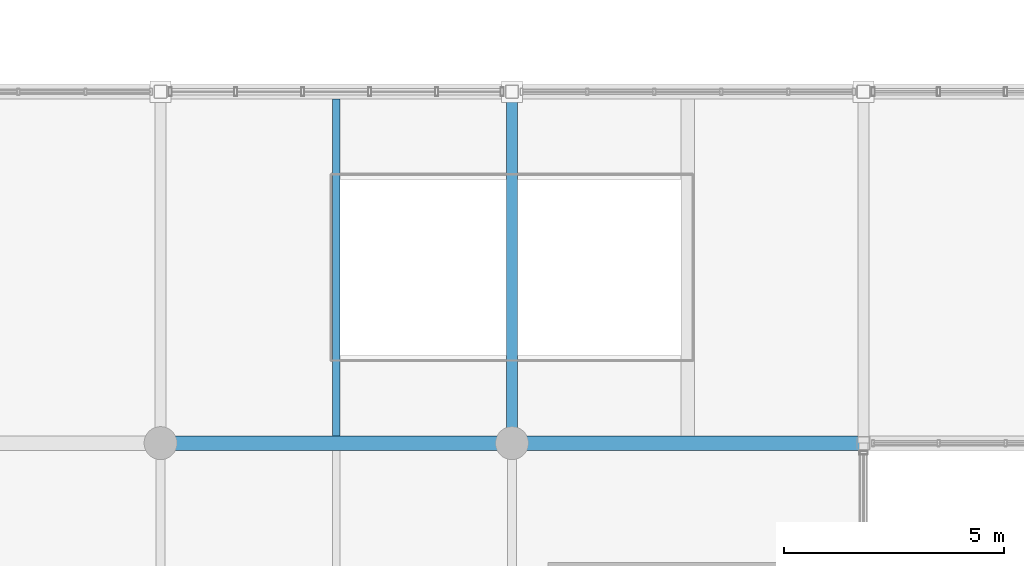
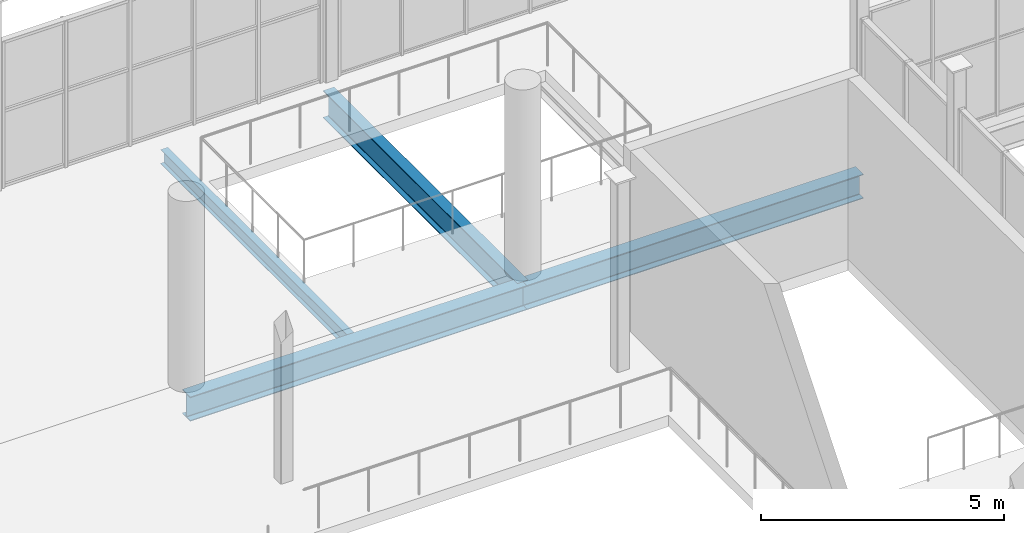
# One storey, part 46 of 114: 4 beams.
"""IFC4 building model written with IfcOpenShell, lengths in metres."""

from ifc_helpers import new_model, si_unit, direction, frame, origin, origin_2d, place, context, subcontext, project, spatial, i_section, extrude, material, material_profile, profile_set, type_object, element, save


model = new_model("IFC4")

# Units and contexts
model_context = context("Model", 3, precision=1e-05, world=origin(), true_north=direction((0.0, 1.0)))
body_context = subcontext(model_context, "Body", "Model", "MODEL_VIEW")
ifc_project = project(units=[si_unit("LENGTHUNIT", "METRE"), si_unit("AREAUNIT", "SQUARE_METRE"), si_unit("VOLUMEUNIT", "CUBIC_METRE"), si_unit("PLANEANGLEUNIT", "RADIAN"), si_unit("MASSUNIT", "GRAM", prefix="KILO")], contexts=[model_context])

# Site, building, storey
site_placement = place(None, origin())
site = spatial("IfcSite", under=ifc_project, at=site_placement, CompositionType="ELEMENT")
building_placement = place(site_placement, origin())
building = spatial("IfcBuilding", under=site, at=building_placement, Name="Verrall Gate Interchange", CompositionType="ELEMENT")
storey_placement = place(building_placement, frame((0.0, 0.0, 6.60009765625)))
storey = spatial("IfcBuildingStorey", under=building, at=storey_placement, Name="L02", CompositionType="ELEMENT", Elevation=6.60009765625)

# Beams
ifc_material_1 = material(Name="Structural Steel CSA G40.21 350WT Cat 4", Category="steel")
ifc_material_profile_1 = material_profile(ifc_material_1, i_section(OverallWidth=0.256103515625, OverallDepth=0.693115234375, WebThickness=0.01318359375, FlangeThickness=0.02001953125, FilletRadius=0.01611328125, at=origin_2d()), Name="W690x170")
ifc_profile_set_1 = profile_set([ifc_material_profile_1], Name="Structural Steel CSA G40.21 350WT Cat 4")
beam_type_1 = type_object("IfcBeamType", Name="B-07 Structural Beam W690x170", PredefinedType="BEAM", material=ifc_profile_set_1)
beam_1_placement = place(storey_placement, frame((100.0, 48.0, -0.626708984375), z_axis=(0.0, 1.0, 0.0), x_axis=(-1.0, 0.0, 0.0)))
element("IfcBeam", 1, at=beam_1_placement, inside=storey, type_object=beam_type_1, Name="L02 Girder BM-L02-1770 (B-07)", PredefinedType="BEAM", context=body_context, shape_type="SweptSolid", body=[
    extrude(i_section(OverallWidth=0.256103515625, OverallDepth=0.693115234375, WebThickness=0.01318359375, FlangeThickness=0.02001953125, FilletRadius=0.01611328125, at=origin_2d()), origin(), (0.0, 0.0, 1.0), 8.0),
])
ifc_material_2 = material(Name="Structural Steel CSA G40.21 350WT Cat 4", Category="steel")
ifc_material_profile_2 = material_profile(ifc_material_2, i_section(OverallWidth=0.323974609375, OverallDepth=0.611083984375, WebThickness=0.0126953125, FlangeThickness=0.01904296875, FilletRadius=0.014892578125, at=origin_2d()), Name="W610x155")
ifc_profile_set_2 = profile_set([ifc_material_profile_2], Name="Structural Steel CSA G40.21 350WT Cat 4")
beam_type_2 = type_object("IfcBeamType", Name="B-08 Structural Beam W610x155", PredefinedType="BEAM", material=ifc_profile_set_2)
for number, where, z_axis, x_axis, name in (
    (2, (92.0, 48.0, -0.585693359375), (1.0, 0.0, 0.0), (0.0, 1.0, 0.0), "L02 Girder BM-L02-1577 (B-08)"),
    (3, (100.0, 48.0, -0.585693359375), (1.0, 0.0, 0.0), (0.0, 1.0, 0.0), "L02 Girder BM-L02-1578 (B-08)"),
):
    element("IfcBeam", number, at=place(storey_placement, frame(where, z_axis=z_axis, x_axis=x_axis)), inside=storey, type_object=beam_type_2, Name=name, PredefinedType="BEAM", context=body_context, shape_type="SweptSolid", body=[
        extrude(i_section(OverallWidth=0.323974609375, OverallDepth=0.611083984375, WebThickness=0.0126953125, FlangeThickness=0.01904296875, FilletRadius=0.014892578125, at=origin_2d()), origin(), (0.0, 0.0, 1.0), 8.0),
    ])
ifc_material_3 = material(Name="Structural Steel CSA G40.21 350W", Category="steel")
ifc_material_profile_3 = material_profile(ifc_material_3, i_section(OverallWidth=0.172119140625, OverallDepth=0.35791015625, WebThickness=0.0078125, FlangeThickness=0.01318359375, FilletRadius=0.010986328125, at=origin_2d()), Name="W360x57")
ifc_profile_set_3 = profile_set([ifc_material_profile_3], Name="Structural Steel CSA G40.21 350W")
beam_type_3 = type_object("IfcBeamType", Name="J-01 Floor Joist W360x57", PredefinedType="JOIST", material=ifc_profile_set_3)
beam_2_placement = place(storey_placement, frame((96.0, 48.162109375, -0.458984375), z_axis=(0.0, 1.0, 0.0), x_axis=(-1.0, 0.0, 0.0)))
element("IfcBeam", 4, at=beam_2_placement, inside=storey, type_object=beam_type_3, Name="L02 Secondary Floor Joist JST-L02-1950", PredefinedType="JOIST", context=body_context, shape_type="SweptSolid", body=[
    extrude(i_section(OverallWidth=0.172119140625, OverallDepth=0.35791015625, WebThickness=0.0078125, FlangeThickness=0.01318359375, FilletRadius=0.010986328125, at=origin_2d()), origin(), (0.0, 0.0, 1.0), 7.67578125),
])

save(model, "model.ifc")
